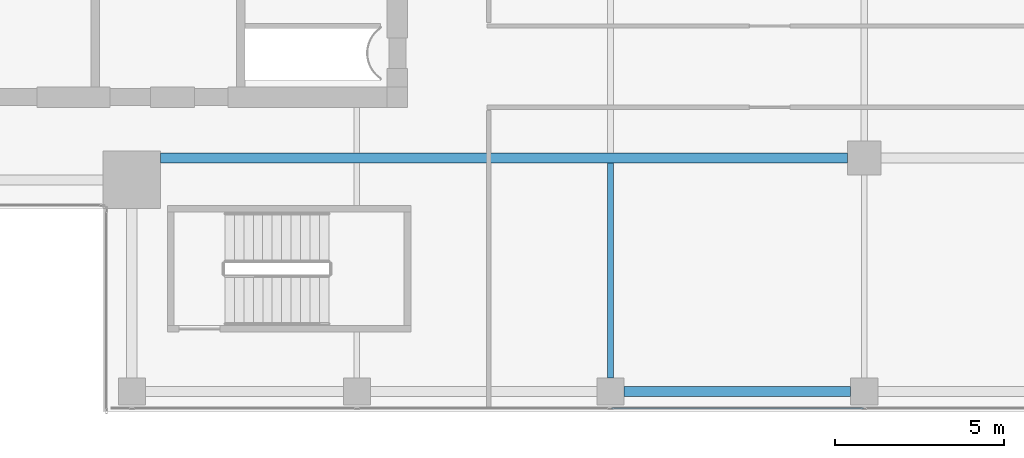
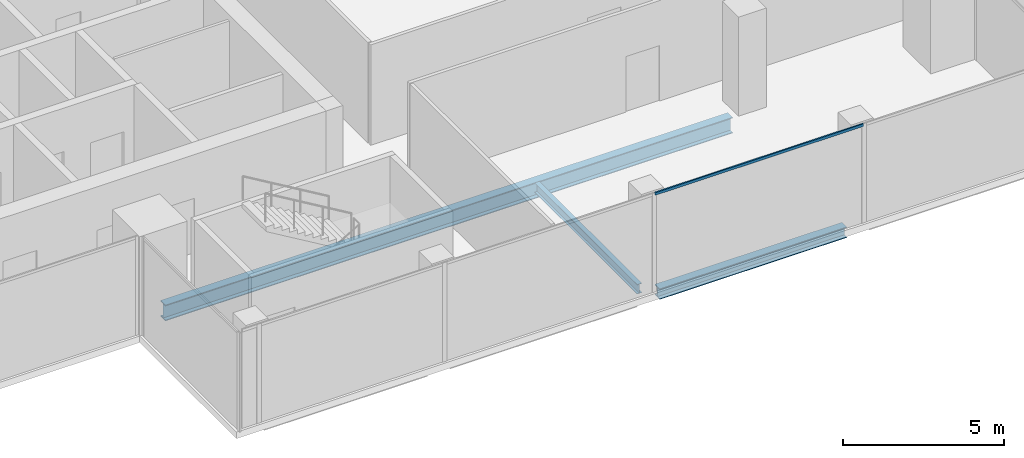
# One storey, part 6 of 29: 3 beams, 1 member, 1 element without a shape of its own.
"""IFC4 building model written with IfcOpenShell, lengths in metres."""

from ifc_helpers import new_model, si_unit, direction, frame, origin, origin_2d, place, context, subcontext, project, spatial, hollow_rectangle, i_section, extrude, source, transform, mapped, material, material_profile, profile_set, type_object, element, aggregate, save


model = new_model("IFC4")

# Units and contexts
model_context = context("Model", 3, precision=1e-05, world=origin(), true_north=direction((0.0, 1.0)))
body_context = subcontext(model_context, "Body", "Model", "MODEL_VIEW")
ifc_project = project(units=[si_unit("LENGTHUNIT", "METRE"), si_unit("AREAUNIT", "SQUARE_METRE"), si_unit("VOLUMEUNIT", "CUBIC_METRE"), si_unit("PLANEANGLEUNIT", "RADIAN"), si_unit("MASSUNIT", "GRAM", prefix="KILO")], contexts=[model_context])

# Site, building, storey
site_placement = place(None, origin())
site = spatial("IfcSite", under=ifc_project, at=site_placement, CompositionType="ELEMENT")
building_placement = place(site_placement, origin())
building = spatial("IfcBuilding", under=site, at=building_placement, Name="Khomas Fold Tower", CompositionType="ELEMENT")
storey_placement = place(building_placement, frame((0.0, 0.0, 310.199951171875)))
storey = spatial("IfcBuildingStorey", under=building, at=storey_placement, Name="L70", CompositionType="ELEMENT", Elevation=310.199951171875)

# Beams
ifc_material_1 = material(Name="Steel S355", Category="steel")
ifc_material_profile_1 = material_profile(ifc_material_1, i_section(OverallWidth=0.300048828125, OverallDepth=0.39990234375, WebThickness=0.013427734375, FlangeThickness=0.02392578125, at=origin_2d()), Name="HE 400 B")
ifc_profile_set_1 = profile_set([ifc_material_profile_1], Name="Steel S355")
beam_type_1 = type_object("IfcBeamType", Name="HE 400 B spandrel SB5", PredefinedType="SPANDREL", material=ifc_profile_set_1)
shared_shape_1 = source(origin(), body_context, "Body", "SweptSolid", [
    extrude(i_section(OverallWidth=0.300048828125, OverallDepth=0.39990234375, WebThickness=0.013427734375, FlangeThickness=0.02392578125, at=origin_2d()), origin(), (0.0, 0.0, 1.0), 6.7001953125),
])
beam_1_placement = place(storey_placement, frame((27.39990234375, 6.60009765625, -0.449951171875), z_axis=(1.0, 0.0, 0.0), x_axis=(0.0, 1.0, 0.0)))
element("IfcBeam", 1, at=beam_1_placement, inside=storey, type_object=beam_type_1, Name="SB5", PredefinedType="SPANDREL", context=body_context, shape_type="MappedRepresentation", body=[
    mapped(shared_shape_1, transform((0.0, 0.0, 0.0))),
])
ifc_material_2 = material(Name="Steel S355", Category="steel")
ifc_material_profile_2 = material_profile(ifc_material_2, i_section(OverallWidth=0.300048828125, OverallDepth=0.60009765625, WebThickness=0.015380859375, FlangeThickness=0.030029296875, at=origin_2d()), Name="HE 600 B")
ifc_profile_set_2 = profile_set([ifc_material_profile_2], Name="Steel S355")
beam_type_2 = type_object("IfcBeamType", Name="HE 600 B beam GB5", PredefinedType="BEAM", material=ifc_profile_set_2)
shared_shape_2 = source(origin(), body_context, "Body", "SweptSolid", [
    extrude(i_section(OverallWidth=0.300048828125, OverallDepth=0.60009765625, WebThickness=0.015380859375, FlangeThickness=0.030029296875, at=origin_2d()), origin(), (0.0, 0.0, 1.0), 20.300048828125),
])
beam_2_placement = place(storey_placement, frame((13.699951171875, 13.5, -0.550048828125), z_axis=(1.0, 0.0, 0.0), x_axis=(0.0, 1.0, 0.0)))
element("IfcBeam", 2, at=beam_2_placement, inside=storey, type_object=beam_type_2, Name="GB5", PredefinedType="BEAM", context=body_context, shape_type="MappedRepresentation", body=[
    mapped(shared_shape_2, transform((0.0, 0.0, 0.0))),
])
ifc_material_3 = material(Name="Steel S355", Category="steel")
ifc_material_profile_3 = material_profile(ifc_material_3, i_section(OverallWidth=0.169921875, OverallDepth=0.360107421875, WebThickness=0.008056640625, FlangeThickness=0.0126953125, at=origin_2d()), Name="IPE 360")
ifc_profile_set_3 = profile_set([ifc_material_profile_3], Name="Steel S355")
beam_type_3 = type_object("IfcBeamType", Name="IPE 360 beam JB2", PredefinedType="BEAM", material=ifc_profile_set_3)
shared_shape_3 = source(origin(), body_context, "Body", "SweptSolid", [
    extrude(i_section(OverallWidth=0.169921875, OverallDepth=0.360107421875, WebThickness=0.008056640625, FlangeThickness=0.0126953125, at=origin_2d()), origin(), (0.0, 0.0, 1.0), 6.35009765625),
])
beam_3_placement = place(storey_placement, frame((27.0, 7.0, -0.429931640625), z_axis=(0.0, 1.0, 0.0), x_axis=(-1.0, 0.0, 0.0)))
element("IfcBeam", 3, at=beam_3_placement, inside=storey, type_object=beam_type_3, Name="JB2", PredefinedType="BEAM", context=body_context, shape_type="MappedRepresentation", body=[
    mapped(shared_shape_3, transform((0.0, 0.0, 0.0))),
])

# Curtain wall, member
ifc_material_4 = material(Name="Aluminium framed double glazing", Category="aluminium")
curtain_wall_type = type_object("IfcCurtainWallType", Name="SK-Unitised clear-glass wall, upper floors CW3", PredefinedType="NOTDEFINED", material=ifc_material_4)
curtain_wall_placement = place(storey_placement, origin())
curtain_wall = element("IfcCurtainWall", 4, at=curtain_wall_placement, inside=storey, type_object=curtain_wall_type, Name="CW3 run L70 00-0", PredefinedType="NOTDEFINED")
ifc_material_5 = material(Name="Aluminium", Category="aluminium")
ifc_material_profile_4 = material_profile(ifc_material_5, hollow_rectangle(XDim=0.050048828125, YDim=0.10009765625, WallThickness=0.00390625, at=origin_2d()), Name="SK-Unitised clear-glass wall, upper floors transom CW3-T")
ifc_profile_set_4 = profile_set([ifc_material_profile_4], Name="Aluminium")
member_type = type_object("IfcMemberType", Name="SK-Unitised clear-glass wall, upper floors transom CW3-T", PredefinedType="USERDEFINED", material=ifc_profile_set_4)
shared_shape_4 = source(origin(), body_context, "Body", "SweptSolid", [
    extrude(hollow_rectangle(XDim=0.050048828125, YDim=0.10009765625, WallThickness=0.00390625, at=origin_2d()), origin(), (0.0, 0.0, 1.0), 7.4501953125),
])
member_placement = place(storey_placement, frame((27.02490234375, 6.10009765625, 3.699951171875), z_axis=(1.0, 0.0, 0.0), x_axis=(0.0, 1.0, 0.0)))
member = element("IfcMember", 5, at=member_placement, type_object=member_type, Name="CW3 transom 4", ObjectType="TRANSOM", PredefinedType="USERDEFINED", context=body_context, shape_type="MappedRepresentation", body=[
    mapped(shared_shape_4, transform((0.0, 0.0, 0.0))),
])
aggregate(curtain_wall, [member])

save(model, "model.ifc")
